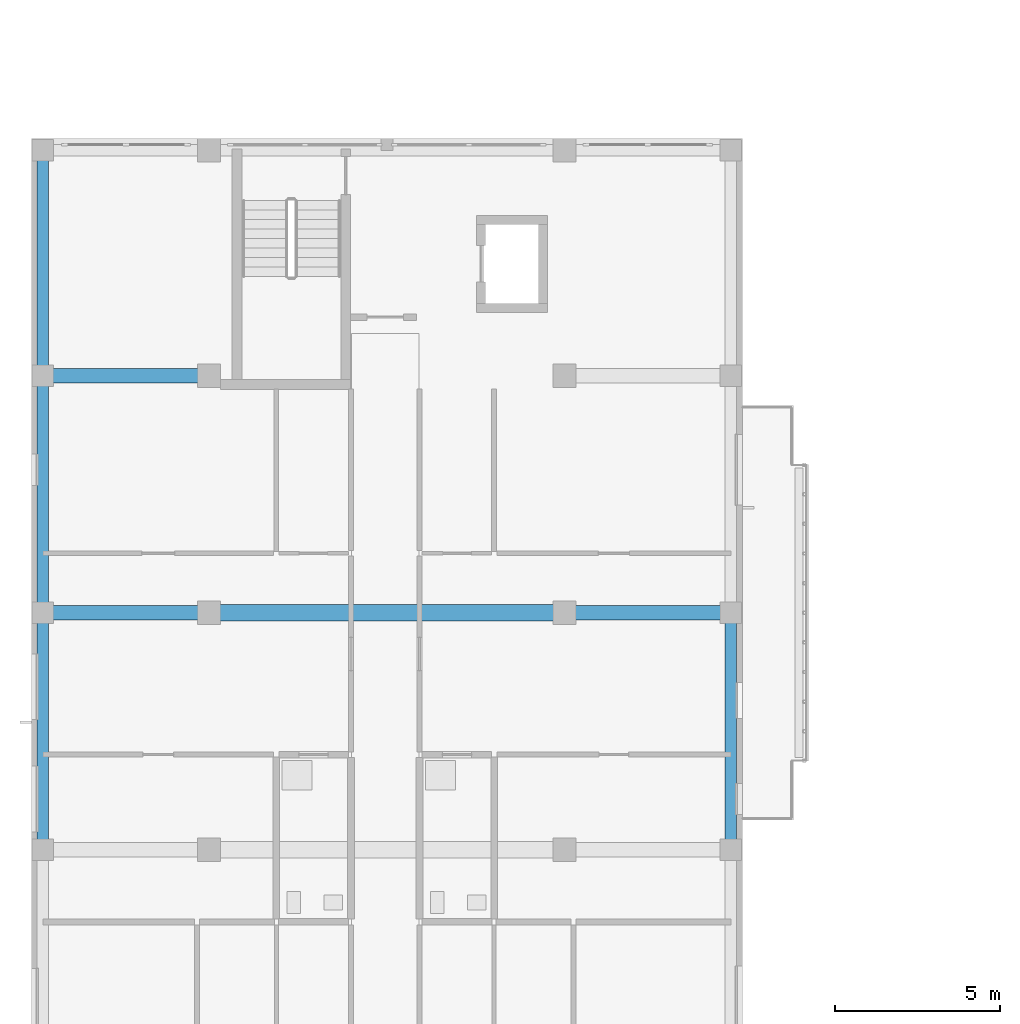
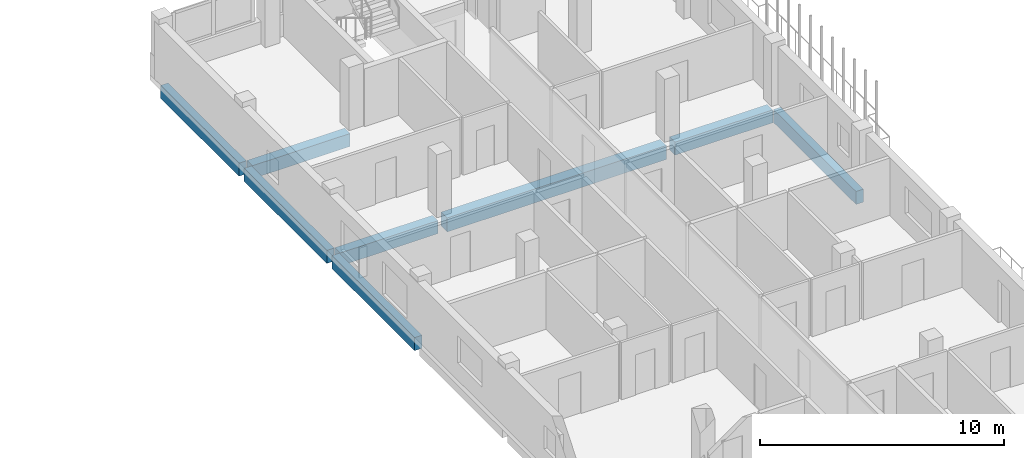
# One storey, part 5 of 51: 8 beams.
"""IFC4 building model written with IfcOpenShell, lengths in metres."""

from ifc_helpers import new_model, si_unit, derived_unit, direction, frame, origin, origin_2d, place, context, subcontext, project, spatial, rectangle, extrude, material, material_profile, profile_set, type_object, element, save


model = new_model("IFC4")

# Units and contexts
model_context = context("Model", 3, precision=1e-05, world=origin(), true_north=direction((0.0, 1.0)))
body_context = subcontext(model_context, "Body", "Model", "MODEL_VIEW")
ifc_project = project(units=[si_unit("LENGTHUNIT", "METRE"), si_unit("AREAUNIT", "SQUARE_METRE"), si_unit("VOLUMEUNIT", "CUBIC_METRE"), si_unit("PLANEANGLEUNIT", "RADIAN"), si_unit("MASSUNIT", "GRAM", prefix="KILO"), derived_unit("THERMALTRANSMITTANCEUNIT", [(si_unit("MASSUNIT", "GRAM", prefix="KILO"), 1), (si_unit("TIMEUNIT", "SECOND"), -3), (si_unit("THERMODYNAMICTEMPERATUREUNIT", "KELVIN"), -1)])], contexts=[model_context])

# Site, building, storey
site_placement = place(None, origin())
site = spatial("IfcSite", under=ifc_project, at=site_placement, CompositionType="ELEMENT")
building_placement = place(site_placement, origin())
building = spatial("IfcBuilding", under=site, at=building_placement, Name="Ochrekiln Boulevard Commons", CompositionType="ELEMENT")
storey_placement = place(building_placement, frame((0.0, 0.0, 15.22509765625)))
storey = spatial("IfcBuildingStorey", under=building, at=storey_placement, Name="L04", CompositionType="ELEMENT", Elevation=15.22509765625)

# Beams
ifc_material_1 = material(Name="Concrete C35/45", Category="concrete")
ifc_material_profile_1 = material_profile(ifc_material_1, rectangle(XDim=0.449951171875, YDim=0.64990234375, at=origin_2d()), Name="RC-BM-450x650")
ifc_profile_set_1 = profile_set([ifc_material_profile_1], Name="Concrete C35/45")
beam_type_1 = type_object("IfcBeamType", Name="BM-RC-450x650", PredefinedType="BEAM", material=ifc_profile_set_1)
beam_1_placement = place(storey_placement, frame((0.56005859375, 36.0, -0.585205078125), z_axis=(1.0, 0.0, 0.0), x_axis=(0.0, 1.0, 0.0)))
element("IfcBeam", 1, at=beam_1_placement, inside=storey, type_object=beam_type_1, Name="Block D L04 Beam B-4565 X15", PredefinedType="BEAM", context=body_context, shape_type="SweptSolid", body=[
    extrude(rectangle(XDim=0.449951171875, YDim=0.64990234375, at=origin_2d()), origin(), (0.0, 0.0, 1.0), 4.6298828125),
])
beam_2_placement = place(storey_placement, frame((16.409912109375, 36.0, -0.585205078125), z_axis=(1.0, 0.0, 0.0), x_axis=(0.0, 1.0, 0.0)))
element("IfcBeam", 2, at=beam_2_placement, inside=storey, type_object=beam_type_1, Name="Block D L04 Beam B-4565 X17", PredefinedType="BEAM", context=body_context, shape_type="SweptSolid", body=[
    extrude(rectangle(XDim=0.449951171875, YDim=0.64990234375, at=origin_2d()), origin(), (0.0, 0.0, 1.0), 4.630126953125),
])
beam_3_placement = place(storey_placement, frame((0.56005859375, 43.199951171875, -0.585205078125), z_axis=(1.0, 0.0, 0.0), x_axis=(0.0, 1.0, 0.0)))
element("IfcBeam", 3, at=beam_3_placement, inside=storey, type_object=beam_type_1, Name="Block D L04 Beam B-4565 X18", PredefinedType="BEAM", context=body_context, shape_type="SweptSolid", body=[
    extrude(rectangle(XDim=0.449951171875, YDim=0.64990234375, at=origin_2d()), origin(), (0.0, 0.0, 1.0), 4.6298828125),
])
ifc_material_2 = material(Name="Concrete C40/50", Category="concrete")
ifc_material_profile_2 = material_profile(ifc_material_2, rectangle(XDim=0.5, YDim=0.699951171875, at=origin_2d()), Name="RC-BM-500x700")
ifc_profile_set_2 = profile_set([ifc_material_profile_2], Name="Concrete C40/50")
beam_type_2 = type_object("IfcBeamType", Name="BM-RC-500x700", PredefinedType="BEAM", material=ifc_profile_set_2)
beam_4_placement = place(storey_placement, frame((5.610107421875, 36.0, -0.610107421875), z_axis=(1.0, 0.0, 0.0), x_axis=(0.0, 1.0, 0.0)))
element("IfcBeam", 4, at=beam_4_placement, inside=storey, type_object=beam_type_2, Name="Block D L04 Beam B-5070 X16", PredefinedType="BEAM", context=body_context, shape_type="SweptSolid", body=[
    extrude(rectangle(XDim=0.5, YDim=0.699951171875, at=origin_2d()), origin(), (0.0, 0.0, 1.0), 10.3798828125),
])
ifc_material_profile_3 = material_profile(ifc_material_2, rectangle(XDim=0.35009765625, YDim=0.64990234375, at=origin_2d()), Name="RC-SPN-350x650")
ifc_profile_set_3 = profile_set([ifc_material_profile_3], Name="Concrete C40/50")
beam_type_3 = type_object("IfcBeamType", Name="SPN-RC-350x650", PredefinedType="SPANDREL", material=ifc_profile_set_3)
for number, where, z_axis, x_axis, name in (
    (5, (0.35009765625, 29.010009765625, -0.585205078125), (0.0, 1.0, 0.0), (-1.0, 0.0, 0.0), "Block D L04 Beam SP-3565 Y27"),
    (6, (0.35009765625, 36.2099609375, -0.585205078125), (0.0, 1.0, 0.0), (-1.0, 0.0, 0.0), "Block D L04 Beam SP-3565 Y28"),
):
    element("IfcBeam", number, at=place(storey_placement, frame(where, z_axis=z_axis, x_axis=x_axis)), inside=storey, type_object=beam_type_3, Name=name, PredefinedType="SPANDREL", context=body_context, shape_type="SweptSolid", body=[
        extrude(rectangle(XDim=0.35009765625, YDim=0.64990234375, at=origin_2d()), origin(), (0.0, 0.0, 1.0), 6.780029296875),
    ])
beam_5_placement = place(storey_placement, frame((0.35009765625, 43.409912109375, -0.585205078125), z_axis=(0.0, 1.0, 0.0), x_axis=(-1.0, 0.0, 0.0)))
element("IfcBeam", 7, at=beam_5_placement, inside=storey, type_object=beam_type_3, Name="Block D L04 Beam SP-3565 Y29", PredefinedType="SPANDREL", context=body_context, shape_type="SweptSolid", body=[
    extrude(rectangle(XDim=0.35009765625, YDim=0.64990234375, at=origin_2d()), origin(), (0.0, 0.0, 1.0), 6.43017578125),
])
beam_6_placement = place(storey_placement, frame((21.25, 29.010009765625, -0.585205078125), z_axis=(0.0, 1.0, 0.0), x_axis=(-1.0, 0.0, 0.0)))
element("IfcBeam", 8, at=beam_6_placement, inside=storey, type_object=beam_type_3, Name="Block D L04 Beam SP-3565 Y34", PredefinedType="SPANDREL", context=body_context, shape_type="SweptSolid", body=[
    extrude(rectangle(XDim=0.35009765625, YDim=0.64990234375, at=origin_2d()), origin(), (0.0, 0.0, 1.0), 6.780029296875),
])

save(model, "model.ifc")
